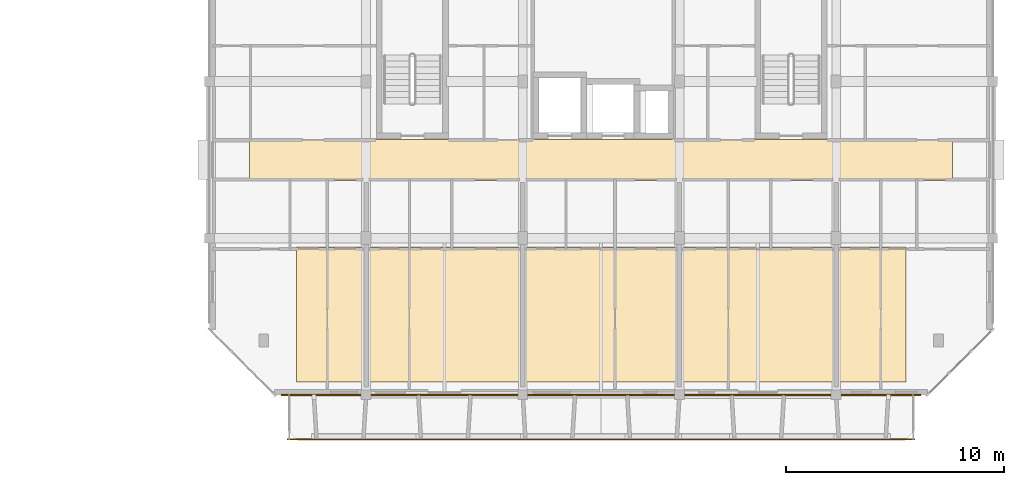
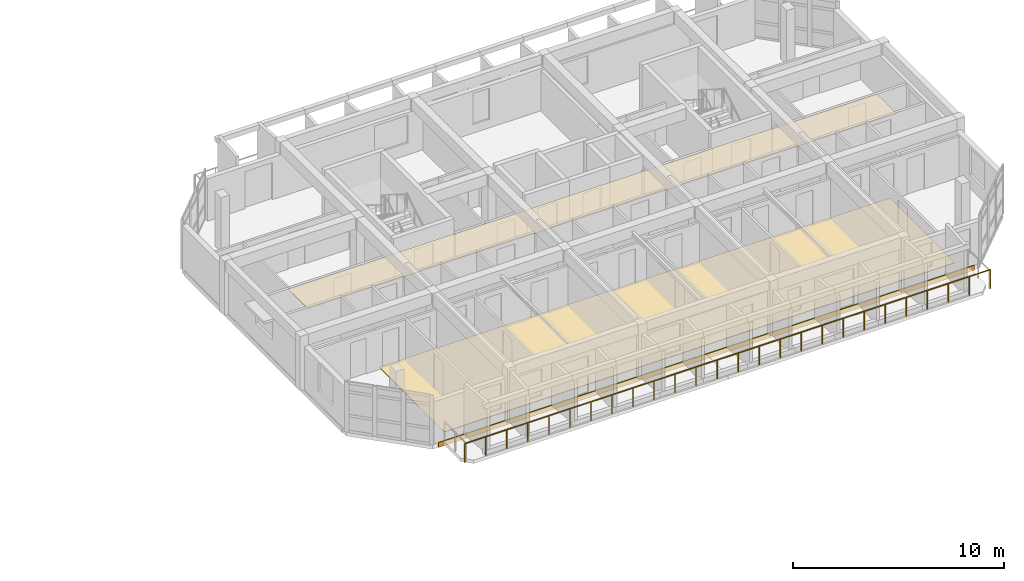
# One storey, part 26 of 30: 3 coverings, 1 railing.
"""IFC4 building model written with IfcOpenShell, lengths in metres."""

from ifc_helpers import new_model, si_unit, direction, frame, origin, origin_2d, place, context, subcontext, project, spatial, polyline, rectangle, circle, outline, extrude, material, layer, layer_set, type_object, element, save


model = new_model("IFC4")

# Units and contexts
model_context = context("Model", 3, precision=1e-05, world=origin(), true_north=direction((0.0, 1.0)))
body_context = subcontext(model_context, "Body", "Model", "MODEL_VIEW")
ifc_project = project(units=[si_unit("LENGTHUNIT", "METRE"), si_unit("AREAUNIT", "SQUARE_METRE"), si_unit("VOLUMEUNIT", "CUBIC_METRE"), si_unit("PLANEANGLEUNIT", "RADIAN"), si_unit("MASSUNIT", "GRAM", prefix="KILO")], contexts=[model_context])

# Site, building, storey
site_placement = place(None, origin())
site = spatial("IfcSite", under=ifc_project, at=site_placement, CompositionType="ELEMENT")
building_placement = place(site_placement, origin())
building = spatial("IfcBuilding", under=site, at=building_placement, Name="Ochrevale Crest", CompositionType="ELEMENT")
storey_placement = place(building_placement, frame((0.0, 0.0, 33.89990234375)))
storey = spatial("IfcBuildingStorey", under=building, at=storey_placement, Name="L10", CompositionType="ELEMENT", Elevation=33.89990234375)

# Coverings
ifc_material_1 = material(Name="Gypsum plasterboard", Category="gypsum")
ifc_layer_1 = layer(ifc_material_1, 0.02490234375)
ifc_layer_set_1 = layer_set([ifc_layer_1], Name="Gypsum plasterboard")
covering_type_1 = type_object("IfcCoveringType", Name="COV-CEIL-GYP", PredefinedType="CEILING", material=ifc_layer_set_1)
covering_1_placement = place(storey_placement, frame((0.0, 0.0, 2.280029296875)))
element("IfcCovering", 1, at=covering_1_placement, inside=storey, type_object=covering_type_1, Name="Block C L10 acoustic corridor ceiling", PredefinedType="CEILING", context=body_context, shape_type="SweptSolid", body=[
    extrude(outline(polyline([(131.449951171875, 24.260009765625), (163.75, 24.260009765625), (163.75, 26.139892578125), (131.449951171875, 26.139892578125), (131.449951171875, 24.260009765625)])), origin(), (0.0, 0.0, 1.0), 0.025146484375),
])
ifc_material_2 = material(Name="Glazed terracotta rainscreen tile", Category="masonry")
ifc_layer_2 = layer(ifc_material_2, 0.048095703125)
ifc_layer_set_2 = layer_set([ifc_layer_2], Name="Glazed terracotta rainscreen tile")
covering_type_2 = type_object("IfcCoveringType", Name="COV-CLAD-TER", PredefinedType="CLADDING", material=ifc_layer_set_2)
covering_2_placement = place(storey_placement, frame((147.60009765625, 14.387451171875, -0.259765625), z_axis=(0.0, 0.0, 1.0), x_axis=(1.0, 0.0, 0.0)))
element("IfcCovering", 2, at=covering_2_placement, inside=storey, type_object=covering_type_2, Name="Block C L10 terracotta slab-edge spandrel cladding", PredefinedType="CLADDING", context=body_context, shape_type="SweptSolid", body=[
    extrude(rectangle(XDim=29.39990234375, YDim=0.06005859375, at=origin_2d()), origin(), (0.0, 0.0, 1.0), 0.280029296875),
])
ifc_material_3 = material(Name="Engineered spotted-gum hardwood flooring", Category="wood")
ifc_layer_3 = layer(ifc_material_3, 0.02001953125)
ifc_layer_set_3 = layer_set([ifc_layer_3], Name="Engineered spotted-gum hardwood flooring")
covering_type_3 = type_object("IfcCoveringType", Name="COV-FLR-TIM", PredefinedType="FLOORING", material=ifc_layer_set_3)
covering_3_placement = place(storey_placement, origin())
element("IfcCovering", 3, at=covering_3_placement, inside=storey, type_object=covering_type_3, Name="Block C L10 spotted-gum apartment flooring", PredefinedType="FLOORING", context=body_context, shape_type="SweptSolid", body=[
    extrude(outline(polyline([(133.60009765625, 15.0), (161.60009765625, 15.0), (161.60009765625, 21.199951171875), (133.60009765625, 21.199951171875), (133.60009765625, 15.0)])), origin(), (0.0, 0.0, 1.0), 0.02001953125),
])

# Railing
ifc_material_4 = material(Name="Galvanised steel", Category="steel")
railing_type = type_object("IfcRailingType", Name="RL-BAL-1100", PredefinedType="BALUSTRADE", material=ifc_material_4)
railing_placement = place(storey_placement, frame((133.199951171875, 12.360107421875, 0.0)))
element("IfcRailing", 4, at=railing_placement, inside=storey, type_object=railing_type, Name="Block C L10 S balcony front balustrade", PredefinedType="BALUSTRADE", context=body_context, shape_type="SweptSolid", body=[
    extrude(circle(Radius=0.02392578125, at=origin_2d()), frame((0.0, 0.0, 1.0859375), z_axis=(1.0, 0.0, 0.0), x_axis=(0.0, 1.0, 0.0)), (0.0, 0.0, 1.0), 28.800048828125),
    extrude(circle(Radius=0.02099609375, at=origin_2d()), origin(), (0.0, 0.0, 1.0), 1.06201171875),
    extrude(circle(Radius=0.02099609375, at=origin_2d()), frame((1.152099609375, 0.0, 0.0)), (0.0, 0.0, 1.0), 1.06201171875),
    extrude(circle(Radius=0.02099609375, at=origin_2d()), frame((2.303955078125, 0.0, 0.0)), (0.0, 0.0, 1.0), 1.06201171875),
    extrude(circle(Radius=0.02099609375, at=origin_2d()), frame((3.4560546875, 0.0, 0.0)), (0.0, 0.0, 1.0), 1.06201171875),
    extrude(circle(Radius=0.02099609375, at=origin_2d()), frame((4.60791015625, 0.0, 0.0)), (0.0, 0.0, 1.0), 1.06201171875),
    extrude(circle(Radius=0.02099609375, at=origin_2d()), frame((5.760009765625, 0.0, 0.0)), (0.0, 0.0, 1.0), 1.06201171875),
    extrude(circle(Radius=0.02099609375, at=origin_2d()), frame((6.912109375, 0.0, 0.0)), (0.0, 0.0, 1.0), 1.06201171875),
    extrude(circle(Radius=0.02099609375, at=origin_2d()), frame((8.06396484375, 0.0, 0.0)), (0.0, 0.0, 1.0), 1.06201171875),
    extrude(circle(Radius=0.02099609375, at=origin_2d()), frame((9.216064453125, 0.0, 0.0)), (0.0, 0.0, 1.0), 1.06201171875),
    extrude(circle(Radius=0.02099609375, at=origin_2d()), frame((10.367919921875, 0.0, 0.0)), (0.0, 0.0, 1.0), 1.06201171875),
    extrude(circle(Radius=0.02099609375, at=origin_2d()), frame((11.52001953125, 0.0, 0.0)), (0.0, 0.0, 1.0), 1.06201171875),
    extrude(circle(Radius=0.02099609375, at=origin_2d()), frame((12.672119140625, 0.0, 0.0)), (0.0, 0.0, 1.0), 1.06201171875),
    extrude(circle(Radius=0.02099609375, at=origin_2d()), frame((13.823974609375, 0.0, 0.0)), (0.0, 0.0, 1.0), 1.06201171875),
    extrude(circle(Radius=0.02099609375, at=origin_2d()), frame((14.97607421875, 0.0, 0.0)), (0.0, 0.0, 1.0), 1.06201171875),
    extrude(circle(Radius=0.02099609375, at=origin_2d()), frame((16.1279296875, 0.0, 0.0)), (0.0, 0.0, 1.0), 1.06201171875),
    extrude(circle(Radius=0.02099609375, at=origin_2d()), frame((17.280029296875, 0.0, 0.0)), (0.0, 0.0, 1.0), 1.06201171875),
    extrude(circle(Radius=0.02099609375, at=origin_2d()), frame((18.43212890625, 0.0, 0.0)), (0.0, 0.0, 1.0), 1.06201171875),
    extrude(circle(Radius=0.02099609375, at=origin_2d()), frame((19.583984375, 0.0, 0.0)), (0.0, 0.0, 1.0), 1.06201171875),
    extrude(circle(Radius=0.02099609375, at=origin_2d()), frame((20.736083984375, 0.0, 0.0)), (0.0, 0.0, 1.0), 1.06201171875),
    extrude(circle(Radius=0.02099609375, at=origin_2d()), frame((21.887939453125, 0.0, 0.0)), (0.0, 0.0, 1.0), 1.06201171875),
    extrude(circle(Radius=0.02099609375, at=origin_2d()), frame((23.0400390625, 0.0, 0.0)), (0.0, 0.0, 1.0), 1.06201171875),
    extrude(circle(Radius=0.02099609375, at=origin_2d()), frame((24.192138671875, 0.0, 0.0)), (0.0, 0.0, 1.0), 1.06201171875),
    extrude(circle(Radius=0.02099609375, at=origin_2d()), frame((25.343994140625, 0.0, 0.0)), (0.0, 0.0, 1.0), 1.06201171875),
    extrude(circle(Radius=0.02099609375, at=origin_2d()), frame((26.49609375, 0.0, 0.0)), (0.0, 0.0, 1.0), 1.06201171875),
    extrude(circle(Radius=0.02099609375, at=origin_2d()), frame((27.64794921875, 0.0, 0.0)), (0.0, 0.0, 1.0), 1.06201171875),
    extrude(circle(Radius=0.02099609375, at=origin_2d()), frame((28.800048828125, 0.0, 0.0)), (0.0, 0.0, 1.0), 1.06201171875),
])

save(model, "model.ifc")
